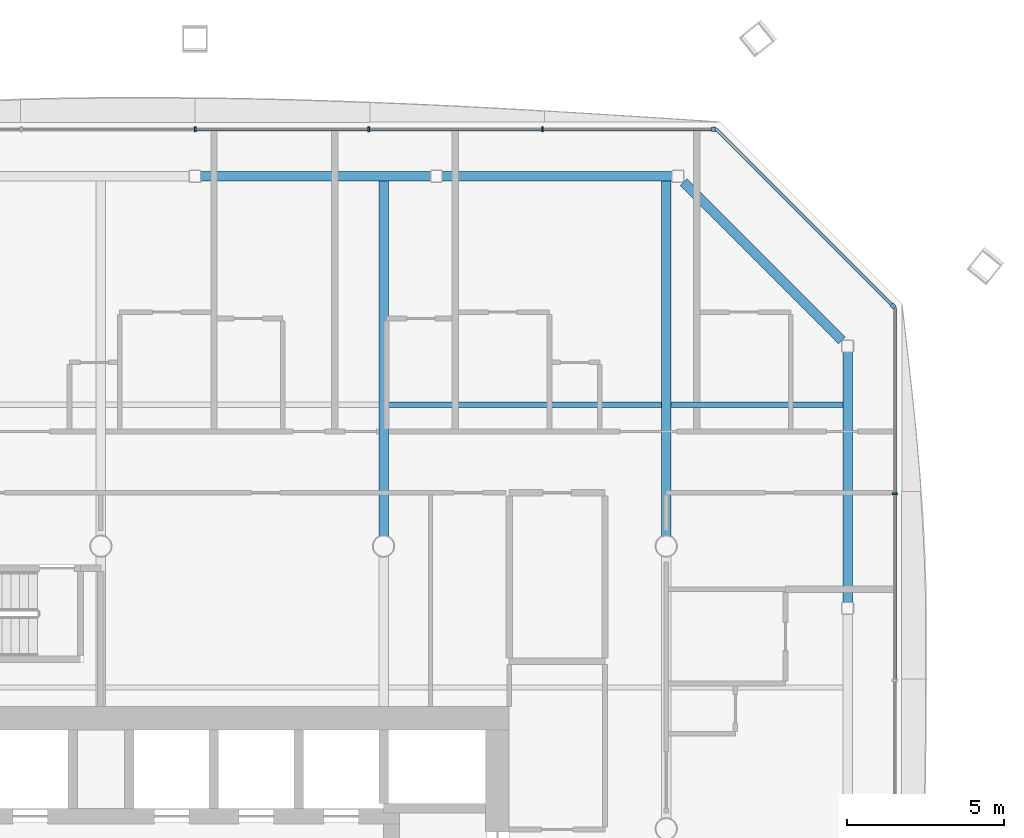
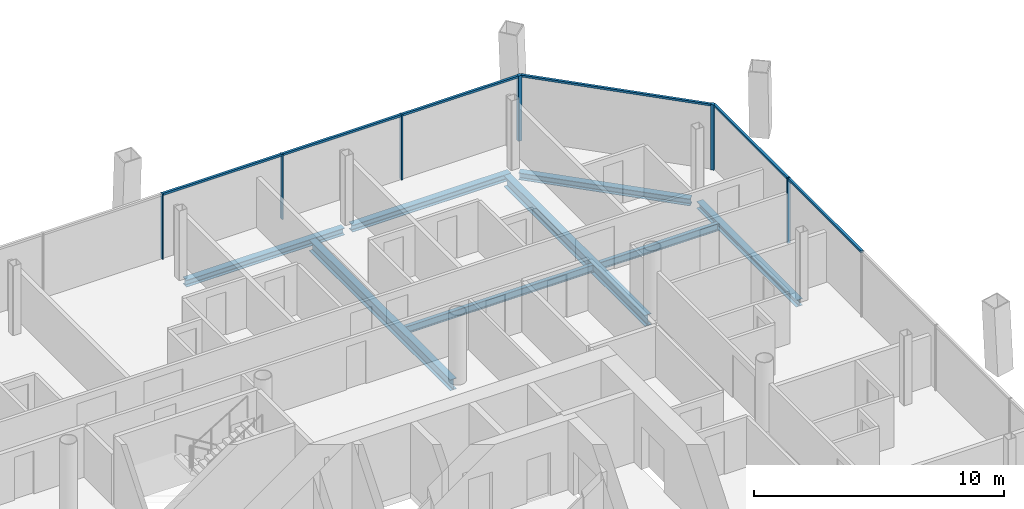
# One storey, part 9 of 18: 12 members, 8 beams, 3 elements without a shape of their own.
"""IFC4 building model written with IfcOpenShell, lengths in metres."""

from ifc_helpers import new_model, si_unit, direction, frame, origin, origin_2d, place, context, subcontext, project, spatial, rectangle, i_section, extrude, material, material_profile, profile_set, type_object, element, aggregate, save


model = new_model("IFC4")

# Units and contexts
model_context = context("Model", 3, precision=1e-05, world=origin(), true_north=direction((0.0, 1.0)))
body_context = subcontext(model_context, "Body", "Model", "MODEL_VIEW")
ifc_project = project(units=[si_unit("LENGTHUNIT", "METRE"), si_unit("AREAUNIT", "SQUARE_METRE"), si_unit("VOLUMEUNIT", "CUBIC_METRE"), si_unit("PLANEANGLEUNIT", "RADIAN"), si_unit("MASSUNIT", "GRAM", prefix="KILO")], contexts=[model_context])

# Site, building, storey
site_placement = place(None, origin())
site = spatial("IfcSite", under=ifc_project, at=site_placement, CompositionType="ELEMENT")
building_placement = place(site_placement, origin())
building = spatial("IfcBuilding", under=site, at=building_placement, Name="Tskaro Facet Tower", CompositionType="ELEMENT")
storey_placement = place(building_placement, frame((0.0, 0.0, 145.300048828125)))
storey = spatial("IfcBuildingStorey", under=building, at=storey_placement, Name="L35", CompositionType="ELEMENT", Elevation=145.300048828125)

# Curtain wall, member
ifc_material_1 = material(Name="Bronze anodised aluminium 6063-T6", Category="aluminium")
curtain_wall_type = type_object("IfcCurtainWallType", Name="Bronze hotel curtain wall (FW2)", PredefinedType="NOTDEFINED", material=ifc_material_1)
curtain_wall_1_placement = place(storey_placement, origin())
curtain_wall_1 = element("IfcCurtainWall", 1, at=curtain_wall_1_placement, inside=storey, type_object=curtain_wall_type, Name="FW2 north-east facet L35", PredefinedType="NOTDEFINED")
ifc_material_profile_1 = material_profile(ifc_material_1, rectangle(XDim=0.14990234375, YDim=0.14990234375, at=origin_2d()), Name="Corner post 150x150")
ifc_profile_set_1 = profile_set([ifc_material_profile_1], Name="Bronze anodised aluminium 6063-T6")
member_type_1 = type_object("IfcMemberType", Name="FW2 bronze corner post 150x150", PredefinedType="MULLION", material=ifc_profile_set_1)
member_1_placement = place(storey_placement, frame((25.218994140625, 16.64501953125, 0.0), z_axis=(0.0, 0.0, 1.0), x_axis=(-0.707106781187, 0.707106781187, 0.0)))
member_1 = element("IfcMember", 2, at=member_1_placement, type_object=member_type_1, Name="FW2 north-east corner post", PredefinedType="MULLION", context=body_context, shape_type="SweptSolid", body=[
    extrude(rectangle(XDim=0.14990234375, YDim=0.14990234375, at=origin_2d()), origin(), (0.0, 0.0, 1.0), 3.199951171875),
])

curtain_wall_2_placement = place(storey_placement, origin())
curtain_wall_2 = element("IfcCurtainWall", 3, at=curtain_wall_2_placement, inside=storey, type_object=curtain_wall_type, Name="FW2 north facet L35", PredefinedType="NOTDEFINED")
member_2_placement = place(storey_placement, frame((19.51708984375, 22.27197265625, 0.0), z_axis=(0.0, 0.0, 1.0), x_axis=(-1.0, 0.0, 0.0)))
member_2 = element("IfcMember", 4, at=member_2_placement, type_object=member_type_1, Name="FW2 north corner post", PredefinedType="MULLION", context=body_context, shape_type="SweptSolid", body=[
    extrude(rectangle(XDim=0.14990234375, YDim=0.14990234375, at=origin_2d()), origin(), (0.0, 0.0, 1.0), 3.199951171875),
])

curtain_wall_3_placement = place(storey_placement, origin())
curtain_wall_3 = element("IfcCurtainWall", 5, at=curtain_wall_3_placement, inside=storey, type_object=curtain_wall_type, Name="FW2 east facet L35", PredefinedType="NOTDEFINED")
ifc_material_profile_2 = material_profile(ifc_material_1, rectangle(XDim=0.06005859375, YDim=0.14990234375, at=origin_2d()), Name="Mullion 60x150")
ifc_profile_set_2 = profile_set([ifc_material_profile_2], Name="Bronze anodised aluminium 6063-T6")
member_type_2 = type_object("IfcMemberType", Name="FW2 bronze mullion 60x150", PredefinedType="MULLION", material=ifc_profile_set_2)
member_3_placement = place(storey_placement, frame((25.27197265625, 10.662841796875, 0.0), z_axis=(0.0, 0.0, 1.0), x_axis=(0.0, 1.0, 0.0)))
member_3 = element("IfcMember", 6, at=member_3_placement, type_object=member_type_2, Name="FW2 east mullion 5", PredefinedType="MULLION", context=body_context, shape_type="SweptSolid", body=[
    extrude(rectangle(XDim=0.06005859375, YDim=0.14990234375, at=origin_2d()), origin(), (0.0, 0.0, 1.0), 3.199951171875),
])

# Member
member_4_placement = place(storey_placement, frame((14.061279296875, 22.27197265625, 0.0), z_axis=(0.0, 0.0, 1.0), x_axis=(-1.0, 0.0, 0.0)))
member_4 = element("IfcMember", 7, at=member_4_placement, type_object=member_type_2, Name="FW2 north mullion 1", PredefinedType="MULLION", context=body_context, shape_type="SweptSolid", body=[
    extrude(rectangle(XDim=0.06005859375, YDim=0.14990234375, at=origin_2d()), origin(), (0.0, 0.0, 1.0), 3.199951171875),
])

member_5_placement = place(storey_placement, frame((8.53076171875, 22.27197265625, 0.0), z_axis=(0.0, 0.0, 1.0), x_axis=(-1.0, 0.0, 0.0)))
member_5 = element("IfcMember", 8, at=member_5_placement, type_object=member_type_2, Name="FW2 north mullion 2", PredefinedType="MULLION", context=body_context, shape_type="SweptSolid", body=[
    extrude(rectangle(XDim=0.06005859375, YDim=0.14990234375, at=origin_2d()), origin(), (0.0, 0.0, 1.0), 3.199951171875),
])

member_6_placement = place(storey_placement, frame((3.0, 22.27197265625, 0.0), z_axis=(0.0, 0.0, 1.0), x_axis=(-1.0, 0.0, 0.0)))
member_6 = element("IfcMember", 9, at=member_6_placement, type_object=member_type_2, Name="FW2 north mullion 3", PredefinedType="MULLION", context=body_context, shape_type="SweptSolid", body=[
    extrude(rectangle(XDim=0.06005859375, YDim=0.14990234375, at=origin_2d()), origin(), (0.0, 0.0, 1.0), 3.199951171875),
])

ifc_material_profile_3 = material_profile(ifc_material_1, rectangle(XDim=0.110107421875, YDim=0.10009765625, at=origin_2d()), Name="Transom 110x100")
ifc_profile_set_3 = profile_set([ifc_material_profile_3], Name="Bronze anodised aluminium 6063-T6")
member_type_3 = type_object("IfcMemberType", Name="FW2 bronze transom 110x100", PredefinedType="USERDEFINED", material=ifc_profile_set_3)
member_7_placement = place(storey_placement, frame((25.27197265625, 4.763671875, 3.14990234375), z_axis=(0.0, 1.0, 0.0), x_axis=(-1.0, 0.0, 0.0)))
member_7 = element("IfcMember", 10, at=member_7_placement, type_object=member_type_3, Name="FW2 east transom 5.1", ObjectType="TRANSOM", PredefinedType="USERDEFINED", context=body_context, shape_type="SweptSolid", body=[
    extrude(rectangle(XDim=0.110107421875, YDim=0.10009765625, at=origin_2d()), origin(), (0.0, 0.0, 1.0), 5.869140625),
])

member_8_placement = place(storey_placement, frame((25.27197265625, 10.69287109375, 3.14990234375), z_axis=(0.0, 1.0, 0.0), x_axis=(-1.0, 0.0, 0.0)))
member_8 = element("IfcMember", 11, at=member_8_placement, type_object=member_type_3, Name="FW2 east transom 6.1", ObjectType="TRANSOM", PredefinedType="USERDEFINED", context=body_context, shape_type="SweptSolid", body=[
    extrude(rectangle(XDim=0.110107421875, YDim=0.10009765625, at=origin_2d()), origin(), (0.0, 0.0, 1.0), 5.899169921875),
])

aggregate(curtain_wall_3, [member_3, member_7, member_8])

member_9_placement = place(storey_placement, frame((25.166015625, 16.697998046875, 3.14990234375), z_axis=(-0.707106781187, 0.707106781187, 0.0), x_axis=(-0.707106781187, -0.707106781187, 0.0)))
member_9 = element("IfcMember", 12, at=member_9_placement, type_object=member_type_3, Name="FW2 north-east transom 1.1", ObjectType="TRANSOM", PredefinedType="USERDEFINED", context=body_context, shape_type="SweptSolid", body=[
    extrude(rectangle(XDim=0.110107421875, YDim=0.10009765625, at=origin_2d()), origin(), (0.0, 0.0, 1.0), 7.8828125),
])

aggregate(curtain_wall_1, [member_1, member_9])

member_10_placement = place(storey_placement, frame((19.44189453125, 22.27197265625, 3.14990234375), z_axis=(-1.0, 0.0, 0.0), x_axis=(0.0, -1.0, 0.0)))
member_10 = element("IfcMember", 13, at=member_10_placement, type_object=member_type_3, Name="FW2 north transom 1.1", ObjectType="TRANSOM", PredefinedType="USERDEFINED", context=body_context, shape_type="SweptSolid", body=[
    extrude(rectangle(XDim=0.110107421875, YDim=0.10009765625, at=origin_2d()), origin(), (0.0, 0.0, 1.0), 5.3505859375),
])

member_11_placement = place(storey_placement, frame((14.03125, 22.27197265625, 3.14990234375), z_axis=(-1.0, 0.0, 0.0), x_axis=(0.0, -1.0, 0.0)))
member_11 = element("IfcMember", 14, at=member_11_placement, type_object=member_type_3, Name="FW2 north transom 2.1", ObjectType="TRANSOM", PredefinedType="USERDEFINED", context=body_context, shape_type="SweptSolid", body=[
    extrude(rectangle(XDim=0.110107421875, YDim=0.10009765625, at=origin_2d()), origin(), (0.0, 0.0, 1.0), 5.470703125),
])

member_12_placement = place(storey_placement, frame((8.500732421875, 22.27197265625, 3.14990234375), z_axis=(-1.0, 0.0, 0.0), x_axis=(0.0, -1.0, 0.0)))
member_12 = element("IfcMember", 15, at=member_12_placement, type_object=member_type_3, Name="FW2 north transom 3.1", ObjectType="TRANSOM", PredefinedType="USERDEFINED", context=body_context, shape_type="SweptSolid", body=[
    extrude(rectangle(XDim=0.110107421875, YDim=0.10009765625, at=origin_2d()), origin(), (0.0, 0.0, 1.0), 5.470703125),
])

aggregate(curtain_wall_2, [member_2, member_4, member_5, member_6, member_10, member_11, member_12])

# Beams
ifc_material_2 = material(Name="Steel S355J2", Category="steel")
ifc_material_profile_4 = material_profile(ifc_material_2, i_section(OverallWidth=0.300048828125, OverallDepth=0.340087890625, WebThickness=0.011962890625, FlangeThickness=0.021484375, FilletRadius=0.027099609375, at=origin_2d()), Name="HE 340 B")
ifc_profile_set_4 = profile_set([ifc_material_profile_4], Name="Steel S355J2")
beam_type_1 = type_object("IfcBeamType", Name="HE 340 B ring beam", PredefinedType="BEAM", material=ifc_profile_set_4)
beam_1_placement = place(storey_placement, frame((23.77392578125, 7.2060546875, -0.31005859375), z_axis=(0.0, 1.0, 0.0), x_axis=(-1.0, 0.0, 0.0)))
element("IfcBeam", 16, at=beam_1_placement, inside=storey, type_object=beam_type_1, Name="HE 340 B EB9-3", PredefinedType="BEAM", context=body_context, shape_type="SweptSolid", body=[
    extrude(i_section(OverallWidth=0.300048828125, OverallDepth=0.340087890625, WebThickness=0.011962890625, FlangeThickness=0.021484375, FilletRadius=0.027099609375, at=origin_2d()), origin(), (0.0, 0.0, 1.0), 7.98193359375),
])
beam_2_placement = place(storey_placement, frame((23.588134765625, 15.553955078125, -0.31005859375), z_axis=(-0.707106781187, 0.707106781187, 0.0), x_axis=(-0.707106781187, -0.707106781187, 0.0)))
element("IfcBeam", 17, at=beam_2_placement, inside=storey, type_object=beam_type_1, Name="HE 340 B EB10-3", PredefinedType="BEAM", context=body_context, shape_type="SweptSolid", body=[
    extrude(i_section(OverallWidth=0.300048828125, OverallDepth=0.340087890625, WebThickness=0.011962890625, FlangeThickness=0.021484375, FilletRadius=0.027099609375, at=origin_2d()), origin(), (0.0, 0.0, 1.0), 7.119384765625),
])
for number, where, z_axis, x_axis, name in (
    (18, (18.18798828125, 20.77392578125, -0.31005859375), (-1.0, 0.0, 0.0), (0.0, -1.0, 0.0), "HE 340 B EB11-3"),
    (19, (10.50390625, 20.77392578125, -0.31005859375), (-1.0, 0.0, 0.0), (0.0, -1.0, 0.0), "HE 340 B EB12-3"),
):
    element("IfcBeam", number, at=place(storey_placement, frame(where, z_axis=z_axis, x_axis=x_axis)), inside=storey, type_object=beam_type_1, Name=name, PredefinedType="BEAM", context=body_context, shape_type="SweptSolid", body=[
        extrude(i_section(OverallWidth=0.300048828125, OverallDepth=0.340087890625, WebThickness=0.011962890625, FlangeThickness=0.021484375, FilletRadius=0.027099609375, at=origin_2d()), origin(), (0.0, 0.0, 1.0), 7.323974609375),
    ])
ifc_material_profile_5 = material_profile(ifc_material_2, i_section(OverallWidth=0.300048828125, OverallDepth=0.5400390625, WebThickness=0.012451171875, FlangeThickness=0.02392578125, FilletRadius=0.027099609375, at=origin_2d()), Name="HE 550 A")
ifc_profile_set_5 = profile_set([ifc_material_profile_5], Name="Steel S355J2")
beam_type_2 = type_object("IfcBeamType", Name="HE 550 A long girder", PredefinedType="BEAM", material=ifc_profile_set_5)
for number, where, z_axis, x_axis, name in (
    (20, (9.0, 9.325439453125, -0.41015625), (0.0, 1.0, 0.0), (-1.0, 0.0, 0.0), "HE 550 A LGB5-3-3"),
    (21, (18.0, 9.325439453125, -0.41015625), (0.0, 1.0, 0.0), (-1.0, 0.0, 0.0), "HE 550 A LGB6-4-3"),
):
    element("IfcBeam", number, at=place(storey_placement, frame(where, z_axis=z_axis, x_axis=x_axis)), inside=storey, type_object=beam_type_2, Name=name, PredefinedType="BEAM", context=body_context, shape_type="SweptSolid", body=[
        extrude(i_section(OverallWidth=0.300048828125, OverallDepth=0.5400390625, WebThickness=0.012451171875, FlangeThickness=0.02392578125, FilletRadius=0.027099609375, at=origin_2d()), origin(), (0.0, 0.0, 1.0), 11.298583984375),
    ])
ifc_material_profile_6 = material_profile(ifc_material_2, i_section(OverallWidth=0.169921875, OverallDepth=0.360107421875, WebThickness=0.008056640625, FlangeThickness=0.0126953125, FilletRadius=0.01806640625, at=origin_2d()), Name="IPE 360")
ifc_profile_set_6 = profile_set([ifc_material_profile_6], Name="Steel S355J2")
beam_type_3 = type_object("IfcBeamType", Name="IPE 360 secondary beam", PredefinedType="BEAM", material=ifc_profile_set_6)
beam_3_placement = place(storey_placement, frame((9.14990234375, 13.5, -0.320068359375), z_axis=(1.0, 0.0, 0.0), x_axis=(0.0, 1.0, 0.0)))
element("IfcBeam", 22, at=beam_3_placement, inside=storey, type_object=beam_type_3, Name="IPE 360 SB5a-4-3", PredefinedType="BEAM", context=body_context, shape_type="SweptSolid", body=[
    extrude(i_section(OverallWidth=0.169921875, OverallDepth=0.360107421875, WebThickness=0.008056640625, FlangeThickness=0.0126953125, FilletRadius=0.01806640625, at=origin_2d()), origin(), (0.0, 0.0, 1.0), 8.7001953125),
])
beam_4_placement = place(storey_placement, frame((18.14990234375, 13.5, -0.320068359375), z_axis=(1.0, 0.0, 0.0), x_axis=(0.0, 1.0, 0.0)))
element("IfcBeam", 23, at=beam_4_placement, inside=storey, type_object=beam_type_3, Name="IPE 360 SB5a-5-3", PredefinedType="BEAM", context=body_context, shape_type="SweptSolid", body=[
    extrude(i_section(OverallWidth=0.169921875, OverallDepth=0.360107421875, WebThickness=0.008056640625, FlangeThickness=0.0126953125, FilletRadius=0.01806640625, at=origin_2d()), origin(), (0.0, 0.0, 1.0), 5.47412109375),
])

save(model, "model.ifc")
